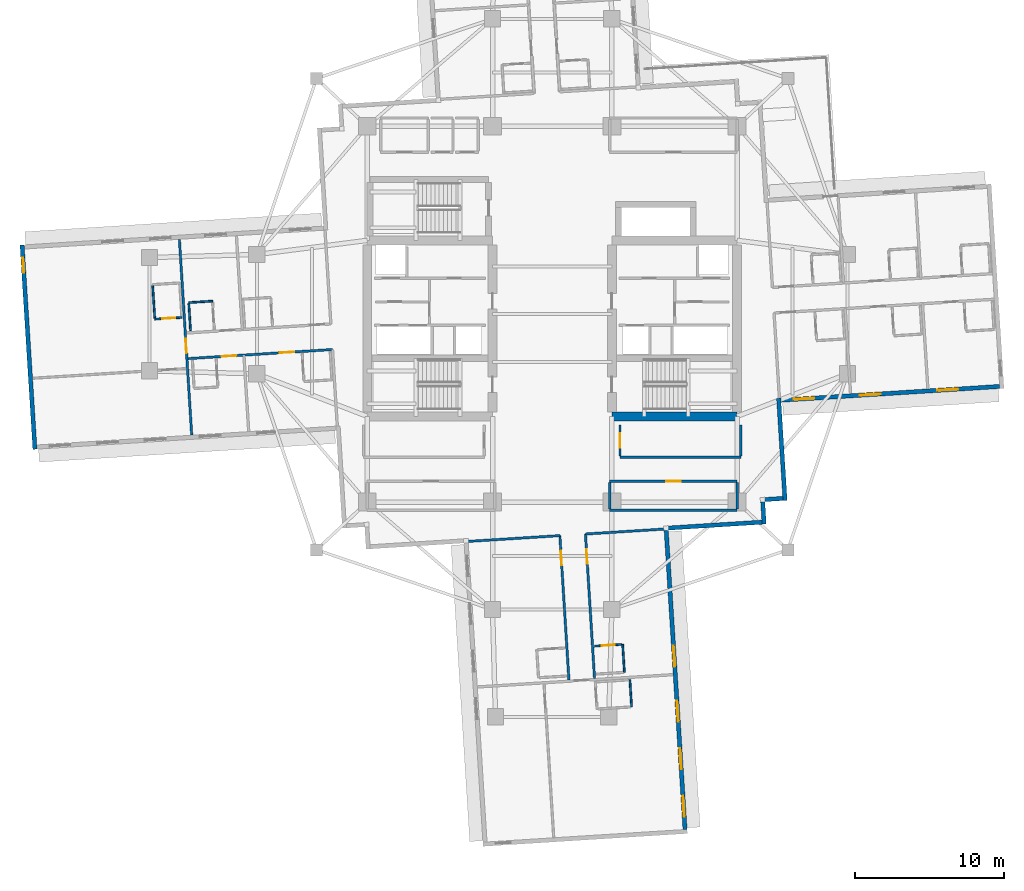
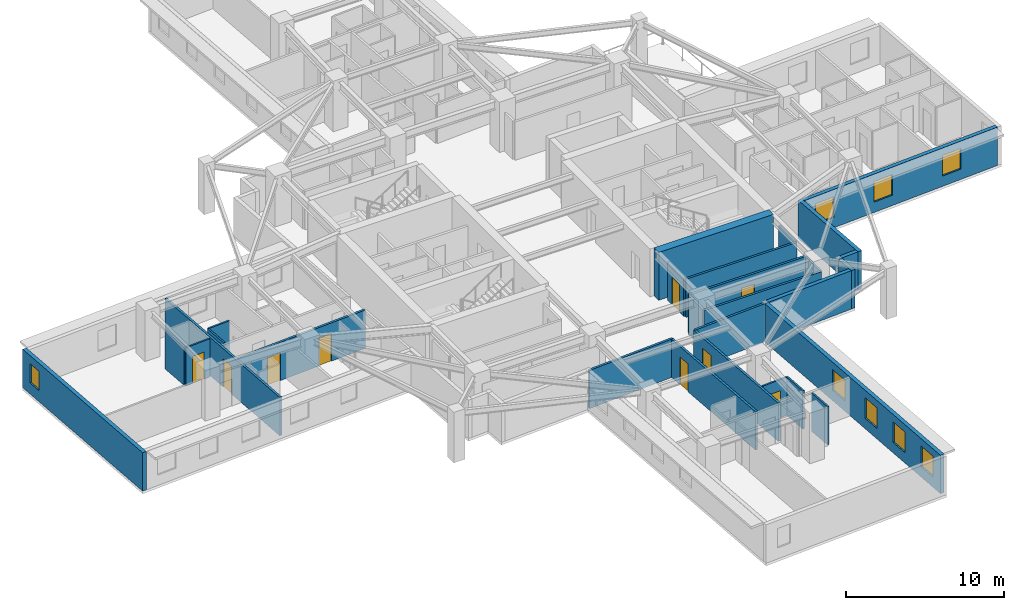
# One storey, part 4 of 14: 28 walls, 9 doors, 8 windows, 17 openings.
"""IFC4 building model written with IfcOpenShell, lengths in metres."""

from ifc_helpers import new_model, si_unit, direction, frame, frame_2d, origin, place, context, subcontext, project, spatial, rectangle, extrude, material, layer, layer_set, type_object, element, fill, save


model = new_model("IFC4")

# Units and contexts
model_context = context("Model", 3, precision=1e-05, world=origin(), true_north=direction((0.0, 1.0)))
body_context = subcontext(model_context, "Body", "Model", "MODEL_VIEW")
ifc_project = project(units=[si_unit("LENGTHUNIT", "METRE"), si_unit("AREAUNIT", "SQUARE_METRE"), si_unit("VOLUMEUNIT", "CUBIC_METRE"), si_unit("PLANEANGLEUNIT", "RADIAN"), si_unit("MASSUNIT", "GRAM", prefix="KILO")], contexts=[model_context])

# Site, building, storey
site_placement = place(None, origin())
site = spatial("IfcSite", under=ifc_project, at=site_placement, CompositionType="ELEMENT")
building_placement = place(site_placement, origin())
building = spatial("IfcBuilding", under=site, at=building_placement, Name="Qingluan Cross Belvedere", CompositionType="ELEMENT")
storey_placement = place(building_placement, frame((0.0, 0.0, 128.10009765625)))
storey = spatial("IfcBuildingStorey", under=building, at=storey_placement, Name="L32", CompositionType="ELEMENT", Elevation=128.10009765625)

# Walls
ifc_material_1 = material(Name="Concrete C60", Category="concrete")
ifc_layer_1 = layer(ifc_material_1, 0.60009765625, Name="CoreShearWall_600")
ifc_layer_set_1 = layer_set([ifc_layer_1], Name="Concrete C60")
wall_type_1 = type_object("IfcWallType", Name="CoreShearWall_600", PredefinedType="SHEAR", material=ifc_layer_set_1)
wall_1_placement = place(storey_placement, frame((4.0, -6.85009765625, 0.0), z_axis=(0.0, 0.0, 1.0), x_axis=(1.0, 0.0, 0.0)))
element("IfcWall", 1, at=wall_1_placement, inside=storey, type_object=wall_type_1, Name="Split core E shear wall L32-S", PredefinedType="SHEAR", context=body_context, shape_type="SweptSolid", body=[
    extrude(rectangle(XDim=8.39990234375, YDim=0.60009765625, at=frame_2d((4.199951171875, 0.0))), origin(), (0.0, 0.0, 1.0), 3.699951171875),
])
ifc_material_2 = material(Name="Gypsum plasterboard on steel stud acoustic partition", Category="steel")
ifc_layer_2 = layer(ifc_material_2, 0.159912109375, Name="CorridorPartition_160")
ifc_layer_set_2 = layer_set([ifc_layer_2], Name="Gypsum plasterboard on steel stud acoustic partition")
wall_type_2 = type_object("IfcWallType", Name="CorridorPartition_160", PredefinedType="PARTITIONING", material=ifc_layer_set_2)
wall_2_placement = place(storey_placement, frame((3.85009765625, -13.14990234375, 0.0), z_axis=(0.0, 0.0, 1.0), x_axis=(1.0, 0.0, 0.0)))
element("IfcWall", 2, at=wall_2_placement, inside=storey, type_object=wall_type_2, Name="Partition L32:q_se:S", PredefinedType="PARTITIONING", context=body_context, shape_type="SweptSolid", body=[
    extrude(rectangle(XDim=8.5498046875, YDim=0.159912109375, at=frame_2d((4.27490234375, 0.0))), origin(), (0.0, 0.0, 1.0), 2.9599609375),
])

# Wall, opening, door
wall_3_placement = place(storey_placement, frame((3.85009765625, -11.199951171875, 0.0), z_axis=(0.0, 0.0, 1.0), x_axis=(1.0, 0.0, 0.0)))
wall_3 = element("IfcWall", 3, at=wall_3_placement, inside=storey, type_object=wall_type_2, Name="Partition L32:q_se:N", PredefinedType="PARTITIONING", context=body_context, shape_type="SweptSolid", body=[
    extrude(rectangle(XDim=8.5498046875, YDim=0.159912109375, at=frame_2d((4.27490234375, 0.0))), origin(), (0.0, 0.0, 1.0), 2.9599609375),
])
opening_1_placement = place(wall_3_placement, frame((3.794921875, 0.0, 0.0)))
opening_1 = element("IfcOpeningElement", 4, at=opening_1_placement, cuts=wall_3, Name="Opening GD-10", PredefinedType="OPENING", context=body_context, shape_type="SweptSolid", body=[
    extrude(rectangle(XDim=0.9599609375, YDim=2.14990234375, at=frame_2d((0.47998046875, 1.074951171875))), frame((0.0, 0.08984375, 0.0), z_axis=(0.0, -1.0, 0.0), x_axis=(1.0, 0.0, 0.0)), (0.0, 0.0, 1.0), 0.179931640625),
])
ifc_material_3 = material(Name="Timber oak fire-rated acoustic guestroom door", Category="wood")
door_type_1 = type_object("IfcDoorType", Name="GuestEntryDoor_FD60", OperationType="NOTDEFINED", PredefinedType="DOOR", material=ifc_material_3)
door_1_placement = place(opening_1_placement, origin())
door_1 = element("IfcDoor", 5, at=door_1_placement, inside=storey, type_object=door_type_1, Name="Wellness lounge L32 door", OperationType="SINGLE_SWING_LEFT", OverallHeight=2.14990234375, OverallWidth=0.9599609375, PredefinedType="DOOR", context=body_context, shape_type="SweptSolid", body=[
    extrude(rectangle(XDim=0.9599609375, YDim=2.14990234375, at=frame_2d((0.47998046875, 1.074951171875))), frame((0.0, 0.02490234375, 0.0), z_axis=(0.0, -1.0, 0.0), x_axis=(1.0, 0.0, 0.0)), (0.0, 0.0, 1.0), 0.050048828125),
])
fill(opening_1, door_1)

# Walls
for number, where, z_axis, x_axis, name in (
    (6, (3.85009765625, -13.06494140625, 0.0), (0.0, 0.0, 1.0), (0.0, 1.0, 0.0), "Partition L32:q_se:W"),
    (7, (12.39990234375, -13.06494140625, 0.0), (0.0, 0.0, 1.0), (0.0, 1.0, 0.0), "Partition L32:q_se:E"),
):
    element("IfcWall", number, at=place(storey_placement, frame(where, z_axis=z_axis, x_axis=x_axis)), inside=storey, type_object=wall_type_2, Name=name, PredefinedType="PARTITIONING", context=body_context, shape_type="SweptSolid", body=[
        extrude(rectangle(XDim=1.780029296875, YDim=0.159912109375, at=frame_2d((0.89013671875, 0.0))), origin(), (0.0, 0.0, 1.0), 2.9599609375),
    ])
wall_4_placement = place(storey_placement, frame((4.550048828125, -9.580078125, 0.0), z_axis=(0.0, 0.0, 1.0), x_axis=(1.0, 0.0, 0.0)))
element("IfcWall", 8, at=wall_4_placement, inside=storey, type_object=wall_type_2, Name="Partition L32:rec_st4:S", PredefinedType="PARTITIONING", context=body_context, shape_type="SweptSolid", body=[
    extrude(rectangle(XDim=8.099853515625, YDim=0.159912109375, at=frame_2d((4.0498046875, 0.0))), origin(), (0.0, 0.0, 1.0), 2.9599609375),
])

# Wall, opening, door
wall_5_placement = place(storey_placement, frame((4.550048828125, -9.4951171875, 0.0), z_axis=(0.0, 0.0, 1.0), x_axis=(0.0, 1.0, 0.0)))
wall_5 = element("IfcWall", 9, at=wall_5_placement, inside=storey, type_object=wall_type_2, Name="Partition L32:rec_st4:W", PredefinedType="PARTITIONING", context=body_context, shape_type="SweptSolid", body=[
    extrude(rectangle(XDim=2.06005859375, YDim=0.159912109375, at=frame_2d((1.030029296875, 0.0))), origin(), (0.0, 0.0, 1.0), 2.9599609375),
])
opening_2_placement = place(wall_5_placement, frame((0.550048828125, 0.0, 0.0)))
opening_2 = element("IfcOpeningElement", 10, at=opening_2_placement, cuts=wall_5, Name="Opening GD-10", PredefinedType="OPENING", context=body_context, shape_type="SweptSolid", body=[
    extrude(rectangle(XDim=0.9599609375, YDim=2.14990234375, at=frame_2d((0.47998046875, 1.074951171875))), frame((0.0, 0.08984375, 0.0), z_axis=(0.0, -1.0, 0.0), x_axis=(1.0, 0.0, 0.0)), (0.0, 0.0, 1.0), 0.179931640625),
])
door_2_placement = place(opening_2_placement, origin())
door_2 = element("IfcDoor", 11, at=door_2_placement, inside=storey, type_object=door_type_1, Name="Southeast club library room L32 door", OperationType="SINGLE_SWING_RIGHT", OverallHeight=2.14990234375, OverallWidth=0.9599609375, PredefinedType="DOOR", context=body_context, shape_type="SweptSolid", body=[
    extrude(rectangle(XDim=0.9599609375, YDim=2.14990234375, at=frame_2d((0.47998046875, 1.074951171875))), frame((0.0, 0.02490234375, 0.0), z_axis=(0.0, -1.0, 0.0), x_axis=(1.0, 0.0, 0.0)), (0.0, 0.0, 1.0), 0.050048828125),
])
fill(opening_2, door_2)

# Wall
wall_6_placement = place(storey_placement, frame((12.64990234375, -9.4951171875, 0.0), z_axis=(0.0, 0.0, 1.0), x_axis=(0.0, 1.0, 0.0)))
element("IfcWall", 12, at=wall_6_placement, inside=storey, type_object=wall_type_2, Name="Partition L32:rec_st4:E", PredefinedType="PARTITIONING", context=body_context, shape_type="SweptSolid", body=[
    extrude(rectangle(XDim=2.06005859375, YDim=0.159912109375, at=frame_2d((1.030029296875, 0.0))), origin(), (0.0, 0.0, 1.0), 2.9599609375),
])

# Wall, openings, doors
wall_7_placement = place(storey_placement, frame((-14.730224609375, -2.36962890625, 0.0), z_axis=(0.0, 0.0, 1.0), x_axis=(-0.998026342456, -0.062796654085, 0.0)))
wall_7 = element("IfcWall", 13, at=wall_7_placement, inside=storey, type_object=wall_type_2, Name="Partition L32:W:c1", PredefinedType="PARTITIONING", context=body_context, shape_type="SweptSolid", body=[
    extrude(rectangle(XDim=9.699951171875, YDim=0.159912109375, at=frame_2d((4.85009765625, 0.0))), origin(), (0.0, 0.0, 1.0), 2.9599609375),
])
opening_3_placement = place(wall_7_placement, frame((2.574951171875, 0.0, 0.0)))
opening_3 = element("IfcOpeningElement", 14, at=opening_3_placement, cuts=wall_7, Name="Opening GD-10", PredefinedType="OPENING", context=body_context, shape_type="SweptSolid", body=[
    extrude(rectangle(XDim=0.9599609375, YDim=2.14990234375, at=frame_2d((0.47998046875, 1.074951171875))), frame((0.0, 0.08984375, 0.0), z_axis=(0.0, -1.0, 0.0), x_axis=(1.0, 0.0, 0.0)), (0.0, 0.0, 1.0), 0.179931640625),
])
opening_4_placement = place(wall_7_placement, frame((6.467041015625, 0.0, 0.0)))
opening_4 = element("IfcOpeningElement", 15, at=opening_4_placement, cuts=wall_7, Name="Opening GD-10", PredefinedType="OPENING", context=body_context, shape_type="SweptSolid", body=[
    extrude(rectangle(XDim=0.9599609375, YDim=2.14990234375, at=frame_2d((0.47998046875, 1.074951171875))), frame((0.0, 0.08984375, 0.0), z_axis=(0.0, -1.0, 0.0), x_axis=(1.0, 0.0, 0.0)), (0.0, 0.0, 1.0), 0.179931640625),
])
door_3_placement = place(opening_3_placement, origin())
door_3 = element("IfcDoor", 16, at=door_3_placement, inside=storey, type_object=door_type_1, Name="Guest entry fire door 3209", OperationType="SINGLE_SWING_RIGHT", OverallHeight=2.14990234375, OverallWidth=0.9599609375, PredefinedType="DOOR", context=body_context, shape_type="SweptSolid", body=[
    extrude(rectangle(XDim=0.9599609375, YDim=2.14990234375, at=frame_2d((0.47998046875, 1.074951171875))), frame((0.0, 0.02490234375, 0.0), z_axis=(0.0, -1.0, 0.0), x_axis=(1.0, 0.0, 0.0)), (0.0, 0.0, 1.0), 0.050048828125),
])
fill(opening_3, door_3)
door_4_placement = place(opening_4_placement, origin())
door_4 = element("IfcDoor", 17, at=door_4_placement, inside=storey, type_object=door_type_1, Name="Guest entry fire door 3210", OperationType="SINGLE_SWING_RIGHT", OverallHeight=2.14990234375, OverallWidth=0.9599609375, PredefinedType="DOOR", context=body_context, shape_type="SweptSolid", body=[
    extrude(rectangle(XDim=0.9599609375, YDim=2.14990234375, at=frame_2d((0.47998046875, 1.074951171875))), frame((0.0, 0.02490234375, 0.0), z_axis=(0.0, -1.0, 0.0), x_axis=(1.0, 0.0, 0.0)), (0.0, 0.0, 1.0), 0.050048828125),
])
fill(opening_4, door_4)

# Wall, opening, door
wall_8_placement = place(storey_placement, frame((2.22998046875, -14.739013671875, 0.0), z_axis=(0.0, 0.0, 1.0), x_axis=(0.062771584278, -0.998027919553, 0.0)))
wall_8 = element("IfcWall", 18, at=wall_8_placement, inside=storey, type_object=wall_type_2, Name="Partition L32:S:c0", PredefinedType="PARTITIONING", context=body_context, shape_type="SweptSolid", body=[
    extrude(rectangle(XDim=9.699951171875, YDim=0.159912109375, at=frame_2d((4.85009765625, 0.0))), origin(), (0.0, 0.0, 1.0), 2.9599609375),
])
opening_5_placement = place(wall_8_placement, frame((1.032958984375, 0.0, 0.0)))
opening_5 = element("IfcOpeningElement", 19, at=opening_5_placement, cuts=wall_8, Name="Opening GD-10", PredefinedType="OPENING", context=body_context, shape_type="SweptSolid", body=[
    extrude(rectangle(XDim=0.9599609375, YDim=2.14990234375, at=frame_2d((0.47998046875, 1.074951171875))), frame((0.0, 0.08984375, 0.0), z_axis=(0.0, -1.0, 0.0), x_axis=(1.0, 0.0, 0.0)), (0.0, 0.0, 1.0), 0.179931640625),
])
door_5_placement = place(opening_5_placement, origin())
door_5 = element("IfcDoor", 20, at=door_5_placement, inside=storey, type_object=door_type_1, Name="Guest entry fire door 3215", OperationType="SINGLE_SWING_RIGHT", OverallHeight=2.14990234375, OverallWidth=0.9599609375, PredefinedType="DOOR", context=body_context, shape_type="SweptSolid", body=[
    extrude(rectangle(XDim=0.9599609375, YDim=2.14990234375, at=frame_2d((0.47998046875, 1.074951171875))), frame((0.0, 0.02490234375, 0.0), z_axis=(0.0, -1.0, 0.0), x_axis=(1.0, 0.0, 0.0)), (0.0, 0.0, 1.0), 0.050048828125),
])
fill(opening_5, door_5)

# Wall
wall_9_placement = place(storey_placement, frame((2.22998046875, -14.739013671875, 0.0), z_axis=(0.0, 0.0, 1.0), x_axis=(0.998026551623, 0.062793329706, 0.0)))
element("IfcWall", 21, at=wall_9_placement, inside=storey, type_object=wall_type_2, Name="Partition L32:S:s0", PredefinedType="PARTITIONING", context=body_context, shape_type="SweptSolid", body=[
    extrude(rectangle(XDim=5.419921875, YDim=0.159912109375, at=frame_2d((2.7099609375, 0.0))), origin(), (0.0, 0.0, 1.0), 2.9599609375),
])

# Wall, opening, door
wall_10_placement = place(storey_placement, frame((0.51318359375, -14.84716796875, 0.0), z_axis=(0.0, 0.0, 1.0), x_axis=(0.062798231534, -0.9980262432, 0.0)))
wall_10 = element("IfcWall", 22, at=wall_10_placement, inside=storey, type_object=wall_type_2, Name="Partition L32:S:c1", PredefinedType="PARTITIONING", context=body_context, shape_type="SweptSolid", body=[
    extrude(rectangle(XDim=9.69970703125, YDim=0.159912109375, at=frame_2d((4.849853515625, 0.0))), origin(), (0.0, 0.0, 1.0), 2.9599609375),
])
opening_6_placement = place(wall_10_placement, frame((1.032958984375, 0.0, 0.0)))
opening_6 = element("IfcOpeningElement", 23, at=opening_6_placement, cuts=wall_10, Name="Opening GD-10", PredefinedType="OPENING", context=body_context, shape_type="SweptSolid", body=[
    extrude(rectangle(XDim=0.9599609375, YDim=2.14990234375, at=frame_2d((0.47998046875, 1.074951171875))), frame((0.0, 0.08984375, 0.0), z_axis=(0.0, -1.0, 0.0), x_axis=(1.0, 0.0, 0.0)), (0.0, 0.0, 1.0), 0.179931640625),
])
door_6_placement = place(opening_6_placement, origin())
door_6 = element("IfcDoor", 24, at=door_6_placement, inside=storey, type_object=door_type_1, Name="Guest entry fire door 3216", OperationType="SINGLE_SWING_RIGHT", OverallHeight=2.14990234375, OverallWidth=0.9599609375, PredefinedType="DOOR", context=body_context, shape_type="SweptSolid", body=[
    extrude(rectangle(XDim=0.9599609375, YDim=2.14990234375, at=frame_2d((0.47998046875, 1.074951171875))), frame((0.0, 0.02490234375, 0.0), z_axis=(0.0, -1.0, 0.0), x_axis=(1.0, 0.0, 0.0)), (0.0, 0.0, 1.0), 0.050048828125),
])
fill(opening_6, door_6)

# Wall
wall_11_placement = place(storey_placement, frame((0.51318359375, -14.84716796875, 0.0), z_axis=(0.0, 0.0, 1.0), x_axis=(-0.998027467443, -0.062778772123, 0.0)))
element("IfcWall", 25, at=wall_11_placement, inside=storey, type_object=wall_type_2, Name="Partition L32:S:s1", PredefinedType="PARTITIONING", context=body_context, shape_type="SweptSolid", body=[
    extrude(rectangle(XDim=6.300048828125, YDim=0.159912109375, at=frame_2d((3.14990234375, 0.0))), origin(), (0.0, 0.0, 1.0), 2.9599609375),
])

# Wall, opening, door
wall_12_placement = place(storey_placement, frame((-24.168701171875, -8.10546875, 0.0), z_axis=(0.0, 0.0, 1.0), x_axis=(-0.062800362452, 0.998026109115, 0.0)))
wall_12 = element("IfcWall", 26, at=wall_12_placement, inside=storey, type_object=wall_type_2, Name="Partition L32:Wcap:in", PredefinedType="PARTITIONING", context=body_context, shape_type="SweptSolid", body=[
    extrude(rectangle(XDim=13.143798828125, YDim=0.159912109375, at=frame_2d((6.57177734375, 0.0))), origin(), (0.0, 0.0, 1.0), 2.9599609375),
])
opening_7_placement = place(wall_12_placement, frame((5.511962890625, 0.0, 0.0)))
opening_7 = element("IfcOpeningElement", 27, at=opening_7_placement, cuts=wall_12, Name="Opening GD-10", PredefinedType="OPENING", context=body_context, shape_type="SweptSolid", body=[
    extrude(rectangle(XDim=0.9599609375, YDim=2.14990234375, at=frame_2d((0.47998046875, 1.074951171875))), frame((0.0, 0.08984375, 0.0), z_axis=(0.0, -1.0, 0.0), x_axis=(1.0, 0.0, 0.0)), (0.0, 0.0, 1.0), 0.179931640625),
])
door_7_placement = place(opening_7_placement, origin())
door_7 = element("IfcDoor", 28, at=door_7_placement, inside=storey, type_object=door_type_1, Name="Horizon corner suite door L32W", OperationType="SINGLE_SWING_LEFT", OverallHeight=2.14990234375, OverallWidth=0.9599609375, PredefinedType="DOOR", context=body_context, shape_type="SweptSolid", body=[
    extrude(rectangle(XDim=0.9599609375, YDim=2.14990234375, at=frame_2d((0.47998046875, 1.074951171875))), frame((0.0, 0.02490234375, 0.0), z_axis=(0.0, -1.0, 0.0), x_axis=(1.0, 0.0, 0.0)), (0.0, 0.0, 1.0), 0.050048828125),
])
fill(opening_7, door_7)

# Walls
ifc_material_4 = material(Name="Moisture-resistant gypsum board lining")
ifc_layer_3 = layer(ifc_material_4, 0.1201171875, Name="EnsuiteWetPartition_120")
ifc_layer_set_3 = layer_set([ifc_layer_3], Name="Moisture-resistant gypsum board lining")
wall_type_3 = type_object("IfcWallType", Name="EnsuiteWetPartition_120", PredefinedType="PARTITIONING", material=ifc_layer_set_3)
wall_13_placement = place(storey_placement, frame((-24.24853515625, -1.104736328125, 0.0), z_axis=(0.0, 0.0, 1.0), x_axis=(-0.062779145668, 0.998027443946, 0.0)))
element("IfcWall", 29, at=wall_13_placement, inside=storey, type_object=wall_type_3, Name="Partition L32:W:bw0_1", PredefinedType="PARTITIONING", context=body_context, shape_type="SweptSolid", body=[
    extrude(rectangle(XDim=1.820068359375, YDim=0.1201171875, at=frame_2d((0.91015625, 0.0))), origin(), (0.0, 0.0, 1.0), 2.9599609375),
])
wall_14_placement = place(storey_placement, frame((-22.77001953125, 0.876953125, 0.0), z_axis=(0.0, 0.0, 1.0), x_axis=(-0.998031143422, -0.062720305802, 0.0)))
element("IfcWall", 30, at=wall_14_placement, inside=storey, type_object=wall_type_3, Name="Partition L32:W:bn0_1", PredefinedType="PARTITIONING", context=body_context, shape_type="SweptSolid", body=[
    extrude(rectangle(XDim=1.599853515625, YDim=0.1201171875, at=frame_2d((0.7998046875, 0.0))), origin(), (0.0, 0.0, 1.0), 2.9599609375),
])

# Wall, opening, door
wall_15_placement = place(storey_placement, frame((2.843017578125, -22.25537109375, 0.0), z_axis=(0.0, 0.0, 1.0), x_axis=(0.998027443946, 0.062779145668, 0.0)))
wall_15 = element("IfcWall", 31, at=wall_15_placement, inside=storey, type_object=wall_type_3, Name="Partition L32:S:bs0_0", PredefinedType="PARTITIONING", context=body_context, shape_type="SweptSolid", body=[
    extrude(rectangle(XDim=1.820068359375, YDim=0.1201171875, at=frame_2d((0.91015625, 0.0))), origin(), (0.0, 0.0, 1.0), 2.9599609375),
])
opening_8_placement = place(wall_15_placement, frame((0.469970703125, 0.0, 0.0)))
opening_8 = element("IfcOpeningElement", 32, at=opening_8_placement, cuts=wall_15, Name="Opening BD-09", PredefinedType="OPENING", context=body_context, shape_type="SweptSolid", body=[
    extrude(rectangle(XDim=0.8798828125, YDim=2.10009765625, at=frame_2d((0.43994140625, 1.050048828125))), frame((0.0, 0.070068359375, 0.0), z_axis=(0.0, -1.0, 0.0), x_axis=(1.0, 0.0, 0.0)), (0.0, 0.0, 1.0), 0.14013671875),
])
ifc_material_5 = material(Name="Moisture-sealed timber en-suite door", Category="wood")
door_type_2 = type_object("IfcDoorType", Name="BathroomDoor_880", OperationType="NOTDEFINED", PredefinedType="DOOR", material=ifc_material_5)
door_8_placement = place(opening_8_placement, origin())
door_8 = element("IfcDoor", 33, at=door_8_placement, inside=storey, type_object=door_type_2, Name="Bathroom door 3215", OperationType="SINGLE_SWING_LEFT", OverallHeight=2.10009765625, OverallWidth=0.8798828125, PredefinedType="DOOR", context=body_context, shape_type="SweptSolid", body=[
    extrude(rectangle(XDim=0.8798828125, YDim=2.10009765625, at=frame_2d((0.43994140625, 1.050048828125))), frame((0.0, 0.02490234375, 0.0), z_axis=(0.0, -1.0, 0.0), x_axis=(1.0, 0.0, 0.0)), (0.0, 0.0, 1.0), 0.050048828125),
])
fill(opening_8, door_8)

# Walls
wall_16_placement = place(storey_placement, frame((4.724365234375, -22.136962890625, 0.0), z_axis=(0.0, 0.0, 1.0), x_axis=(0.062725942896, -0.998030789148, 0.0)))
element("IfcWall", 34, at=wall_16_placement, inside=storey, type_object=wall_type_3, Name="Partition L32:S:bn0_0", PredefinedType="PARTITIONING", context=body_context, shape_type="SweptSolid", body=[
    extrude(rectangle(XDim=1.8798828125, YDim=0.1201171875, at=frame_2d((0.93994140625, 0.0))), origin(), (0.0, 0.0, 1.0), 2.9599609375),
])
wall_17_placement = place(storey_placement, frame((-26.64599609375, -0.263671875, 0.0), z_axis=(0.0, 0.0, 1.0), x_axis=(-0.062824483344, 0.998024591026, 0.0)))
element("IfcWall", 35, at=wall_17_placement, inside=storey, type_object=wall_type_3, Name="Partition L32:Wcap:b2b", PredefinedType="PARTITIONING", context=body_context, shape_type="SweptSolid", body=[
    extrude(rectangle(XDim=2.18017578125, YDim=0.1201171875, at=frame_2d((1.090087890625, 0.0))), origin(), (0.0, 0.0, 1.0), 2.9599609375),
])

# Wall, opening, door
wall_18_placement = place(storey_placement, frame((-24.8251953125, -0.21923828125, 0.0), z_axis=(0.0, 0.0, 1.0), x_axis=(-0.998027443946, -0.062779145668, 0.0)))
wall_18 = element("IfcWall", 36, at=wall_18_placement, inside=storey, type_object=wall_type_3, Name="Partition L32:Wcap:b2s", PredefinedType="PARTITIONING", context=body_context, shape_type="SweptSolid", body=[
    extrude(rectangle(XDim=1.820068359375, YDim=0.1201171875, at=frame_2d((0.91015625, 0.0))), origin(), (0.0, 0.0, 1.0), 2.9599609375),
])
opening_9_placement = place(wall_18_placement, frame((0.449951171875, 0.0, 0.0)))
opening_9 = element("IfcOpeningElement", 37, at=opening_9_placement, cuts=wall_18, Name="Opening BD-09", PredefinedType="OPENING", context=body_context, shape_type="SweptSolid", body=[
    extrude(rectangle(XDim=0.8798828125, YDim=2.10009765625, at=frame_2d((0.43994140625, 1.050048828125))), frame((0.0, 0.070068359375, 0.0), z_axis=(0.0, -1.0, 0.0), x_axis=(1.0, 0.0, 0.0)), (0.0, 0.0, 1.0), 0.14013671875),
])
door_9_placement = place(opening_9_placement, origin())
door_9 = element("IfcDoor", 38, at=door_9_placement, inside=storey, type_object=door_type_2, Name="En-suite bathroom door L32W", OperationType="SINGLE_SWING_RIGHT", OverallHeight=2.10009765625, OverallWidth=0.8798828125, PredefinedType="DOOR", context=body_context, shape_type="SweptSolid", body=[
    extrude(rectangle(XDim=0.8798828125, YDim=2.10009765625, at=frame_2d((0.43994140625, 1.050048828125))), frame((0.0, 0.02490234375, 0.0), z_axis=(0.0, -1.0, 0.0), x_axis=(1.0, 0.0, 0.0)), (0.0, 0.0, 1.0), 0.050048828125),
])
fill(opening_9, door_9)

# Wall
wall_19_placement = place(storey_placement, frame((5.20947265625, -24.51123046875, 0.0), z_axis=(0.0, 0.0, 1.0), x_axis=(0.062645529196, -0.998035839873, 0.0)))
element("IfcWall", 39, at=wall_19_placement, inside=storey, type_object=wall_type_3, Name="Partition L32:Scap:b2b", PredefinedType="PARTITIONING", context=body_context, shape_type="SweptSolid", body=[
    extrude(rectangle(XDim=1.820068359375, YDim=0.1201171875, at=frame_2d((0.91015625, 0.0))), origin(), (0.0, 0.0, 1.0), 2.9599609375),
])

# Wall, openings, windows
ifc_material_6 = material(Name="Precast concrete C45", Category="concrete")
ifc_layer_4 = layer(ifc_material_6, 0.280029296875, Name="PrecastFacadeWall_280")
ifc_layer_set_4 = layer_set([ifc_layer_4], Name="Precast concrete C45")
wall_type_4 = type_object("IfcWallType", Name="PrecastFacadeWall_280", PredefinedType="STANDARD", material=ifc_layer_set_4)
wall_20_placement = place(storey_placement, frame((15.33251953125, -5.7685546875, 0.0), z_axis=(0.0, 0.0, 1.0), x_axis=(0.998027423805, 0.062779465852, 0.0)))
wall_20 = element("IfcWall", 40, at=wall_20_placement, inside=storey, type_object=wall_type_4, Name="Facade wall L32-EA", PredefinedType="STANDARD", context=body_context, shape_type="SweptSolid", body=[
    extrude(rectangle(XDim=14.699951171875, YDim=0.280029296875, at=frame_2d((7.35009765625, 0.0))), origin(), (0.0, 0.0, 1.0), 2.969970703125),
])
opening_10_placement = place(wall_20_placement, frame((0.85009765625, 0.0, 0.800048828125)))
opening_10 = element("IfcOpeningElement", 41, at=opening_10_placement, cuts=wall_20, Name="Opening W-01", PredefinedType="OPENING", context=body_context, shape_type="SweptSolid", body=[
    extrude(rectangle(XDim=1.39990234375, YDim=1.60009765625, at=frame_2d((0.699951171875, 0.800048828125))), frame((0.0, 0.14990234375, 0.0), z_axis=(0.0, -1.0, 0.0), x_axis=(1.0, 0.0, 0.0)), (0.0, 0.0, 1.0), 0.300048828125),
])
opening_11_placement = place(wall_20_placement, frame((5.300048828125, 0.0, 0.800048828125)))
opening_11 = element("IfcOpeningElement", 42, at=opening_11_placement, cuts=wall_20, Name="Opening W-01", PredefinedType="OPENING", context=body_context, shape_type="SweptSolid", body=[
    extrude(rectangle(XDim=1.39990234375, YDim=1.60009765625, at=frame_2d((0.699951171875, 0.800048828125))), frame((0.0, 0.14990234375, 0.0), z_axis=(0.0, -1.0, 0.0), x_axis=(1.0, 0.0, 0.0)), (0.0, 0.0, 1.0), 0.300048828125),
])
opening_12_placement = place(wall_20_placement, frame((10.5, 0.0, 0.800048828125)))
opening_12 = element("IfcOpeningElement", 43, at=opening_12_placement, cuts=wall_20, Name="Opening W-01", PredefinedType="OPENING", context=body_context, shape_type="SweptSolid", body=[
    extrude(rectangle(XDim=1.39990234375, YDim=1.60009765625, at=frame_2d((0.699951171875, 0.800048828125))), frame((0.0, 0.14990234375, 0.0), z_axis=(0.0, -1.0, 0.0), x_axis=(1.0, 0.0, 0.0)), (0.0, 0.0, 1.0), 0.300048828125),
])
ifc_material_7 = material(Name="Thermally broken triple Low-E glass in aluminium frame", Category="aluminium")
window_type_1 = type_object("IfcWindowType", Name="TriRibbonWin_1400x1600", PartitioningType="SINGLE_PANEL", PredefinedType="WINDOW", material=ifc_material_7)
window_1_placement = place(opening_10_placement, origin())
window_1 = element("IfcWindow", 44, at=window_1_placement, inside=storey, type_object=window_type_1, Name="Ribbon window L32-EA-1", OverallHeight=1.60009765625, OverallWidth=1.39990234375, PartitioningType="SINGLE_PANEL", PredefinedType="WINDOW", context=body_context, shape_type="SweptSolid", body=[
    extrude(rectangle(XDim=1.39990234375, YDim=1.60009765625, at=frame_2d((0.699951171875, 0.800048828125))), frame((0.0, 0.030029296875, 0.0), z_axis=(0.0, -1.0, 0.0), x_axis=(1.0, 0.0, 0.0)), (0.0, 0.0, 1.0), 0.06005859375),
])
fill(opening_10, window_1)
window_2_placement = place(opening_11_placement, origin())
window_2 = element("IfcWindow", 45, at=window_2_placement, inside=storey, type_object=window_type_1, Name="Ribbon window L32-EA-2", OverallHeight=1.60009765625, OverallWidth=1.39990234375, PartitioningType="SINGLE_PANEL", PredefinedType="WINDOW", context=body_context, shape_type="SweptSolid", body=[
    extrude(rectangle(XDim=1.39990234375, YDim=1.60009765625, at=frame_2d((0.699951171875, 0.800048828125))), frame((0.0, 0.030029296875, 0.0), z_axis=(0.0, -1.0, 0.0), x_axis=(1.0, 0.0, 0.0)), (0.0, 0.0, 1.0), 0.06005859375),
])
fill(opening_11, window_2)
window_3_placement = place(opening_12_placement, origin())
window_3 = element("IfcWindow", 46, at=window_3_placement, inside=storey, type_object=window_type_1, Name="Ribbon window L32-EA-3", OverallHeight=1.60009765625, OverallWidth=1.39990234375, PartitioningType="SINGLE_PANEL", PredefinedType="WINDOW", context=body_context, shape_type="SweptSolid", body=[
    extrude(rectangle(XDim=1.39990234375, YDim=1.60009765625, at=frame_2d((0.699951171875, 0.800048828125))), frame((0.0, 0.030029296875, 0.0), z_axis=(0.0, -1.0, 0.0), x_axis=(1.0, 0.0, 0.0)), (0.0, 0.0, 1.0), 0.06005859375),
])
fill(opening_12, window_3)

# Wall, opening, window
wall_21_placement = place(storey_placement, frame((-35.541259765625, 4.637451171875, 0.0), z_axis=(0.0, 0.0, 1.0), x_axis=(0.062797041623, -0.998026318072, 0.0)))
wall_21 = element("IfcWall", 47, at=wall_21_placement, inside=storey, type_object=wall_type_4, Name="Arm tip precast facade wall L32-W", PredefinedType="STANDARD", context=body_context, shape_type="SweptSolid", body=[
    extrude(rectangle(XDim=13.719970703125, YDim=0.280029296875, at=frame_2d((6.85986328125, 0.0))), origin(), (0.0, 0.0, 1.0), 2.969970703125),
])
opening_13_placement = place(wall_21_placement, frame((0.85009765625, 0.0, 0.85009765625)))
opening_13 = element("IfcOpeningElement", 48, at=opening_13_placement, cuts=wall_21, Name="Opening W-03", PredefinedType="OPENING", context=body_context, shape_type="SweptSolid", body=[
    extrude(rectangle(XDim=1.0, YDim=1.5, at=frame_2d((0.5, 0.75))), frame((0.0, 0.14990234375, 0.0), z_axis=(0.0, -1.0, 0.0), x_axis=(1.0, 0.0, 0.0)), (0.0, 0.0, 1.0), 0.300048828125),
])
ifc_material_8 = material(Name="Thermally broken triple Low-E glass in aluminium frame", Category="aluminium")
window_type_2 = type_object("IfcWindowType", Name="TriApexWin_1000x1500", PartitioningType="SINGLE_PANEL", PredefinedType="WINDOW", material=ifc_material_8)
window_4_placement = place(opening_13_placement, origin())
window_4 = element("IfcWindow", 49, at=window_4_placement, inside=storey, type_object=window_type_2, Name="Arm tip triangular window L32-W", OverallHeight=1.5, OverallWidth=1.0, PartitioningType="SINGLE_PANEL", PredefinedType="WINDOW", context=body_context, shape_type="SweptSolid", body=[
    extrude(rectangle(XDim=1.0, YDim=1.5, at=frame_2d((0.5, 0.75))), frame((0.0, 0.030029296875, 0.0), z_axis=(0.0, -1.0, 0.0), x_axis=(1.0, 0.0, 0.0)), (0.0, 0.0, 1.0), 0.06005859375),
])
fill(opening_13, window_4)

# Wall, openings, windows
wall_22_placement = place(storey_placement, frame((8.906982421875, -34.548828125, 0.0), z_axis=(0.0, 0.0, 1.0), x_axis=(-0.06279645424, 0.99802635503, 0.0)))
wall_22 = element("IfcWall", 50, at=wall_22_placement, inside=storey, type_object=wall_type_4, Name="Facade wall L32-SB", PredefinedType="STANDARD", context=body_context, shape_type="SweptSolid", body=[
    extrude(rectangle(XDim=20.099853515625, YDim=0.280029296875, at=frame_2d((10.0498046875, 0.0))), origin(), (0.0, 0.0, 1.0), 2.969970703125),
])
opening_14_placement = place(wall_22_placement, frame((0.85009765625, 0.0, 0.800048828125)))
opening_14 = element("IfcOpeningElement", 51, at=opening_14_placement, cuts=wall_22, Name="Opening W-01", PredefinedType="OPENING", context=body_context, shape_type="SweptSolid", body=[
    extrude(rectangle(XDim=1.39990234375, YDim=1.60009765625, at=frame_2d((0.699951171875, 0.800048828125))), frame((0.0, 0.14990234375, 0.0), z_axis=(0.0, -1.0, 0.0), x_axis=(1.0, 0.0, 0.0)), (0.0, 0.0, 1.0), 0.300048828125),
])
opening_15_placement = place(wall_22_placement, frame((4.050048828125, 0.0, 0.800048828125)))
opening_15 = element("IfcOpeningElement", 52, at=opening_15_placement, cuts=wall_22, Name="Opening W-01", PredefinedType="OPENING", context=body_context, shape_type="SweptSolid", body=[
    extrude(rectangle(XDim=1.39990234375, YDim=1.60009765625, at=frame_2d((0.699951171875, 0.800048828125))), frame((0.0, 0.14990234375, 0.0), z_axis=(0.0, -1.0, 0.0), x_axis=(1.0, 0.0, 0.0)), (0.0, 0.0, 1.0), 0.300048828125),
])
opening_16_placement = place(wall_22_placement, frame((7.25, 0.0, 0.800048828125)))
opening_16 = element("IfcOpeningElement", 53, at=opening_16_placement, cuts=wall_22, Name="Opening W-01", PredefinedType="OPENING", context=body_context, shape_type="SweptSolid", body=[
    extrude(rectangle(XDim=1.39990234375, YDim=1.60009765625, at=frame_2d((0.699951171875, 0.800048828125))), frame((0.0, 0.14990234375, 0.0), z_axis=(0.0, -1.0, 0.0), x_axis=(1.0, 0.0, 0.0)), (0.0, 0.0, 1.0), 0.300048828125),
])
opening_17_placement = place(wall_22_placement, frame((10.949951171875, 0.0, 0.800048828125)))
opening_17 = element("IfcOpeningElement", 54, at=opening_17_placement, cuts=wall_22, Name="Opening W-01", PredefinedType="OPENING", context=body_context, shape_type="SweptSolid", body=[
    extrude(rectangle(XDim=1.39990234375, YDim=1.60009765625, at=frame_2d((0.699951171875, 0.800048828125))), frame((0.0, 0.14990234375, 0.0), z_axis=(0.0, -1.0, 0.0), x_axis=(1.0, 0.0, 0.0)), (0.0, 0.0, 1.0), 0.300048828125),
])
window_5_placement = place(opening_14_placement, origin())
window_5 = element("IfcWindow", 55, at=window_5_placement, inside=storey, type_object=window_type_1, Name="Ribbon window L32-SB-1", OverallHeight=1.60009765625, OverallWidth=1.39990234375, PartitioningType="SINGLE_PANEL", PredefinedType="WINDOW", context=body_context, shape_type="SweptSolid", body=[
    extrude(rectangle(XDim=1.39990234375, YDim=1.60009765625, at=frame_2d((0.699951171875, 0.800048828125))), frame((0.0, 0.030029296875, 0.0), z_axis=(0.0, -1.0, 0.0), x_axis=(1.0, 0.0, 0.0)), (0.0, 0.0, 1.0), 0.06005859375),
])
fill(opening_14, window_5)
window_6_placement = place(opening_15_placement, origin())
window_6 = element("IfcWindow", 56, at=window_6_placement, inside=storey, type_object=window_type_1, Name="Ribbon window L32-SB-2", OverallHeight=1.60009765625, OverallWidth=1.39990234375, PartitioningType="SINGLE_PANEL", PredefinedType="WINDOW", context=body_context, shape_type="SweptSolid", body=[
    extrude(rectangle(XDim=1.39990234375, YDim=1.60009765625, at=frame_2d((0.699951171875, 0.800048828125))), frame((0.0, 0.030029296875, 0.0), z_axis=(0.0, -1.0, 0.0), x_axis=(1.0, 0.0, 0.0)), (0.0, 0.0, 1.0), 0.06005859375),
])
fill(opening_15, window_6)
window_7_placement = place(opening_16_placement, origin())
window_7 = element("IfcWindow", 57, at=window_7_placement, inside=storey, type_object=window_type_1, Name="Ribbon window L32-SB-3", OverallHeight=1.60009765625, OverallWidth=1.39990234375, PartitioningType="SINGLE_PANEL", PredefinedType="WINDOW", context=body_context, shape_type="SweptSolid", body=[
    extrude(rectangle(XDim=1.39990234375, YDim=1.60009765625, at=frame_2d((0.699951171875, 0.800048828125))), frame((0.0, 0.030029296875, 0.0), z_axis=(0.0, -1.0, 0.0), x_axis=(1.0, 0.0, 0.0)), (0.0, 0.0, 1.0), 0.06005859375),
])
fill(opening_16, window_7)
window_8_placement = place(opening_17_placement, origin())
window_8 = element("IfcWindow", 58, at=window_8_placement, inside=storey, type_object=window_type_1, Name="Ribbon window L32-SB-4", OverallHeight=1.60009765625, OverallWidth=1.39990234375, PartitioningType="SINGLE_PANEL", PredefinedType="WINDOW", context=body_context, shape_type="SweptSolid", body=[
    extrude(rectangle(XDim=1.39990234375, YDim=1.60009765625, at=frame_2d((0.699951171875, 0.800048828125))), frame((0.0, 0.030029296875, 0.0), z_axis=(0.0, -1.0, 0.0), x_axis=(1.0, 0.0, 0.0)), (0.0, 0.0, 1.0), 0.06005859375),
])
fill(opening_17, window_8)

# Walls
wall_23_placement = place(storey_placement, frame((15.18408203125, -5.6376953125, 0.0), z_axis=(0.0, 0.0, 1.0), x_axis=(0.062779317195, -0.998027433156, 0.0)))
element("IfcWall", 59, at=wall_23_placement, inside=storey, type_object=wall_type_4, Name="Corner wall L32-SE1", PredefinedType="STANDARD", context=body_context, shape_type="SweptSolid", body=[
    extrude(rectangle(XDim=6.85986328125, YDim=0.280029296875, at=frame_2d((3.429931640625, 0.0))), origin(), (0.0, 0.0, 1.0), 2.969970703125),
])
wall_24_placement = place(storey_placement, frame((15.46630859375, -12.353271484375, 0.0), z_axis=(0.0, 0.0, 1.0), x_axis=(-0.998024450254, -0.062826719603, 0.0)))
element("IfcWall", 60, at=wall_24_placement, inside=storey, type_object=wall_type_4, Name="Corner wall L32-SE2", PredefinedType="STANDARD", context=body_context, shape_type="SweptSolid", body=[
    extrude(rectangle(XDim=1.22021484375, YDim=0.280029296875, at=frame_2d((0.610107421875, 0.0))), origin(), (0.0, 0.0, 1.0), 2.969970703125),
])
wall_25_placement = place(storey_placement, frame((14.11767578125, -12.578369140625, 0.0), z_axis=(0.0, 0.0, 1.0), x_axis=(0.062824119533, -0.998024613927, 0.0)))
element("IfcWall", 61, at=wall_25_placement, inside=storey, type_object=wall_type_4, Name="Corner wall L32-SE3", PredefinedType="STANDARD", context=body_context, shape_type="SweptSolid", body=[
    extrude(rectangle(XDim=1.5, YDim=0.280029296875, at=frame_2d((0.75, 0.0))), origin(), (0.0, 0.0, 1.0), 2.969970703125),
])
wall_26_placement = place(storey_placement, frame((14.063232421875, -13.944580078125, 0.0), z_axis=(0.0, 0.0, 1.0), x_axis=(-0.998027314704, -0.062781200242, 0.0)))
element("IfcWall", 62, at=wall_26_placement, inside=storey, type_object=wall_type_4, Name="Corner wall L32-SE4", PredefinedType="STANDARD", context=body_context, shape_type="SweptSolid", body=[
    extrude(rectangle(XDim=6.2998046875, YDim=0.280029296875, at=frame_2d((3.14990234375, 0.0))), origin(), (0.0, 0.0, 1.0), 2.969970703125),
])

save(model, "model.ifc")
